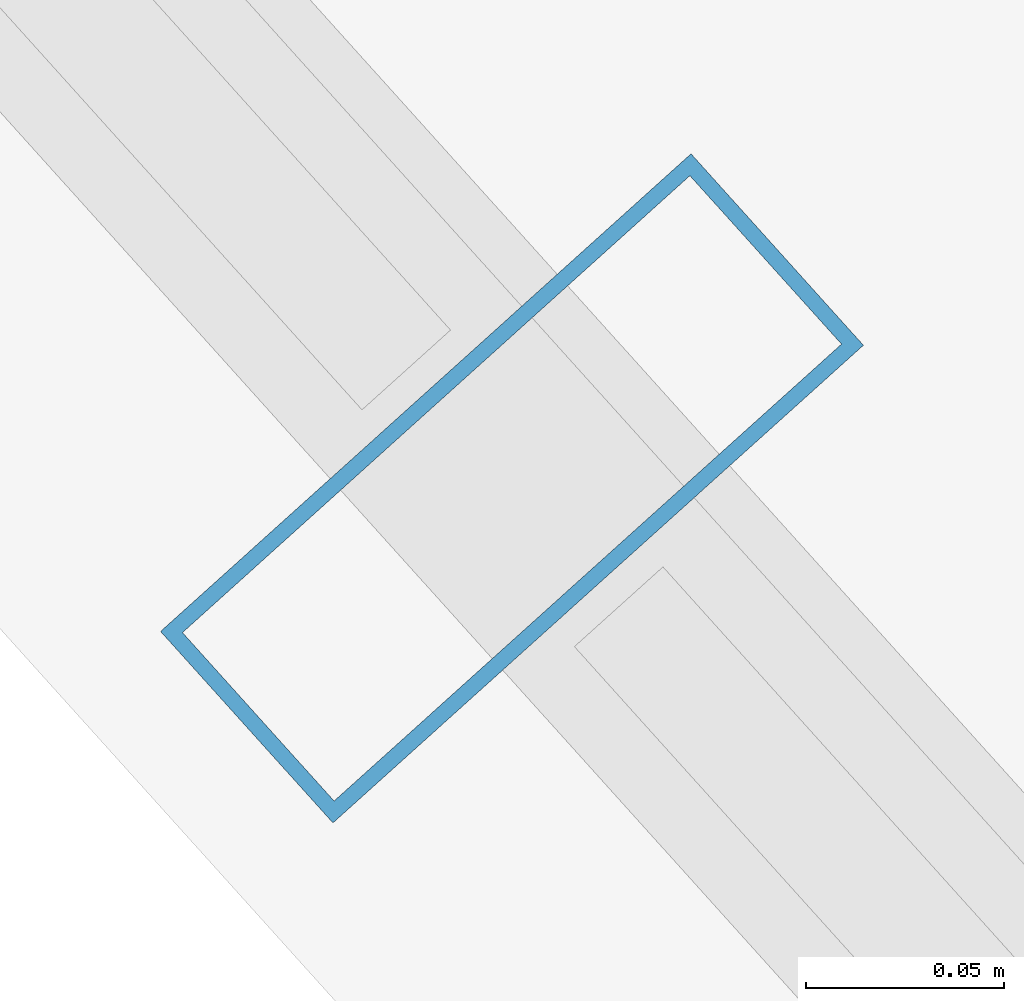
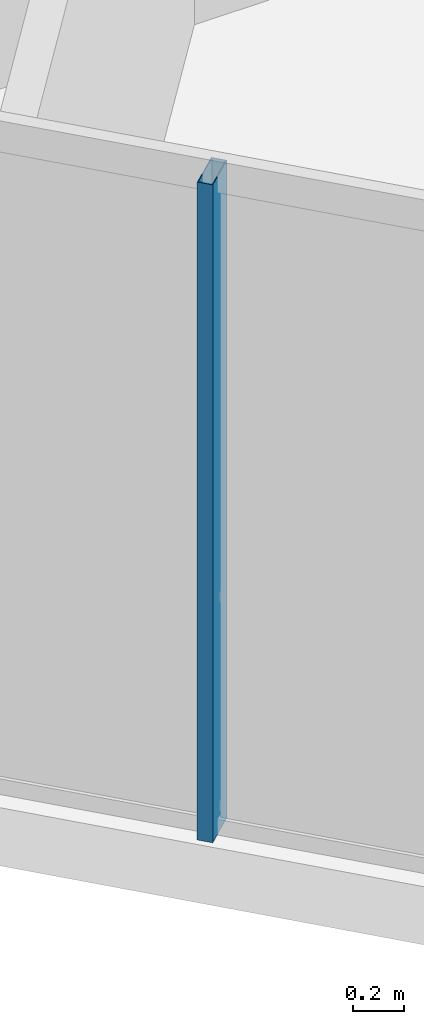
# One storey, part 2 of 27: 1 member, 1 element without a shape of its own.
"""IFC4 building model written with IfcOpenShell, lengths in metres."""

import ifcopenshell
import ifcopenshell.guid

model = None  # the IFC model being written
_history = None  # IfcOwnerHistory: only IFC2X3 demands one
_inside = {}  # id of a spatial element -> (the spatial element, [elements in it])
_under = {}  # id of a project, library or spatial element -> (it, [spatial elements below it])
_declared = {}  # id of a project -> (the project, [libraries it declares])
_typed = {}  # id of a type object -> (the type object, [elements of that type])
_made_of = {}  # id of a material, layer set ... -> (it, [elements and type objects made of it])


def new_model(schema):
    """Start an empty IFC model of exactly this schema.

    Asked for "IFC4X3", IfcOpenShell would pick the latest addendum, in which some entities
    have other attributes; the version numbers below select the first issue.
    IFC2X3 requires an IfcOwnerHistory on every rooted entity: one is made here for all.
    """
    global model, _history
    if schema == "IFC4X3":
        model = ifcopenshell.file(schema_version=(4, 3, 0, 0))
    else:
        model = ifcopenshell.file(schema=schema)
    _inside.clear()
    _under.clear()
    _declared.clear()
    _typed.clear()
    _made_of.clear()
    _history = None
    if model.schema == "IFC2X3":
        org = make("IfcOrganization", Name="unknown")
        user = make(
            "IfcPersonAndOrganization",
            ThePerson=make("IfcPerson", FamilyName="unknown"),
            TheOrganization=org,
        )
        app = make(
            "IfcApplication",
            ApplicationDeveloper=org,
            Version="unknown",
            ApplicationFullName="unknown",
            ApplicationIdentifier="unknown",
        )
        _history = make(
            "IfcOwnerHistory",
            OwningUser=user,
            OwningApplication=app,
            ChangeAction="ADDED",
            CreationDate=0,
        )
    return model


def make(cls, **values):
    """One entity of the class cls with the attributes given. An attribute that is None is left unset."""
    return model.create_entity(
        cls, **{name: value for name, value in values.items() if value is not None}
    )


def rooted(cls, **values):
    """An entity with a GlobalId (a new one), such as an element, a storey or a relation."""
    return make(cls, GlobalId=ifcopenshell.guid.new(), OwnerHistory=_history, **values)


def si_unit(unit_type, name, prefix=None):
    """IfcSIUnit, for example si_unit("LENGTHUNIT", "METRE", prefix="MILLI")."""
    return make("IfcSIUnit", UnitType=unit_type, Prefix=prefix, Name=name)


def assignment(units):
    """IfcUnitAssignment: the units of a project."""
    return None if units is None else make("IfcUnitAssignment", Units=units)


def point(xyz):
    """IfcCartesianPoint."""
    return None if xyz is None else make("IfcCartesianPoint", Coordinates=xyz)


def direction(xyz):
    """IfcDirection."""
    return None if xyz is None else make("IfcDirection", DirectionRatios=xyz)


def frame(location, z_axis=None, x_axis=None):
    """IfcAxis2Placement3D, a coordinate frame: its origin and axes. An axis left out is left unset."""
    return make(
        "IfcAxis2Placement3D",
        Location=point(location),
        Axis=direction(z_axis),
        RefDirection=direction(x_axis),
    )


def frame_2d(location, x_axis=None):
    """IfcAxis2Placement2D, a coordinate frame in the plane: its origin and x axis."""
    return make(
        "IfcAxis2Placement2D", Location=point(location), RefDirection=direction(x_axis)
    )


def origin():
    """The frame at (0, 0, 0) with its axes left unset."""
    return frame((0.0, 0.0, 0.0))


def origin_2d():
    """The frame at (0, 0) in the plane with its x axis left unset."""
    return frame_2d((0.0, 0.0))


def place(relative_to, where):
    """IfcLocalPlacement: puts the frame where relative to a parent placement (None: the world)."""
    return make(
        "IfcLocalPlacement", PlacementRelTo=relative_to, RelativePlacement=where
    )


def context(
    kind, dimensions, precision=None, world=None, true_north=None, identifier=None
):
    """IfcGeometricRepresentationContext, for example the 3D "Model" context."""
    return make(
        "IfcGeometricRepresentationContext",
        ContextIdentifier=identifier,
        ContextType=kind,
        CoordinateSpaceDimension=dimensions,
        Precision=precision,
        WorldCoordinateSystem=world,
        TrueNorth=true_north,
    )


def subcontext(parent, identifier, kind, view, scale=None):
    """IfcGeometricRepresentationSubContext, for example "Body" below "Model"."""
    return make(
        "IfcGeometricRepresentationSubContext",
        ContextIdentifier=identifier,
        ContextType=kind,
        ParentContext=parent,
        TargetScale=scale,
        TargetView=view,
    )


def project(units=None, contexts=None):
    """IfcProject with its units and contexts."""
    return rooted(
        "IfcProject",
        Name="project",
        RepresentationContexts=contexts,
        UnitsInContext=assignment(units),
    )


def spatial(cls, under=None, at=None, **own):
    """A site, building, storey or space (cls), placed at a placement, below another one or the project."""
    s = rooted(cls, ObjectPlacement=at, **own)
    if under is not None:
        _under.setdefault(under.id(), (under, []))[1].append(s)
    return s


def profile(cls, at=None, kind="AREA", **sizes):
    """A parametric profile (cls). Its sizes go by their IFC names, for example OverallWidth=200.0."""
    return make(cls, ProfileType=kind, Position=at, **sizes)


def hollow_rectangle(**sizes):
    """IfcRectangleHollowProfileDef."""
    return profile("IfcRectangleHollowProfileDef", **sizes)


def extrude(swept, where, along, depth):
    """IfcExtrudedAreaSolid: the profile swept, set in the frame where, extruded along a direction by depth."""
    return make(
        "IfcExtrudedAreaSolid",
        SweptArea=swept,
        Position=where,
        ExtrudedDirection=direction(along),
        Depth=depth,
    )


def shape(context_of_items, identifier, shape_type, items):
    """IfcShapeRepresentation: the items that make up one representation, for example the "Body"."""
    return make(
        "IfcShapeRepresentation",
        ContextOfItems=context_of_items,
        RepresentationIdentifier=identifier,
        RepresentationType=shape_type,
        Items=items,
    )


def material(Name=None, Category=None):
    """IfcMaterial."""
    return make("IfcMaterial", Name=Name, Category=Category)


def layer(
    of_material, thickness, ventilated=None, Name=None, Category=None, Priority=None
):
    """IfcMaterialLayer: one layer of a wall or slab, of a material (None: an air gap)."""
    return make(
        "IfcMaterialLayer",
        Material=of_material,
        LayerThickness=thickness,
        IsVentilated=ventilated,
        Name=Name,
        Category=Category,
        Priority=Priority,
    )


def layer_set(layers, Name=None):
    """IfcMaterialLayerSet."""
    return make("IfcMaterialLayerSet", MaterialLayers=layers, LayerSetName=Name)


def material_profile(
    of_material, cross_section, Name=None, Category=None, Priority=None
):
    """IfcMaterialProfile: a cross section and its material."""
    return make(
        "IfcMaterialProfile",
        Name=Name,
        Material=of_material,
        Profile=cross_section,
        Priority=Priority,
        Category=Category,
    )


def profile_set(profiles, Name=None, composite=None):
    """IfcMaterialProfileSet."""
    return make(
        "IfcMaterialProfileSet",
        Name=Name,
        MaterialProfiles=profiles,
        CompositeProfile=composite,
    )


def made_of(thing, what):
    """Note that an element or type object is made of a material, layer set ...; save() writes the relation."""
    if what is not None:
        _made_of.setdefault(what.id(), (what, []))[1].append(thing)
    return thing


def type_object(cls, material=None, **own):
    """A type object (cls), such as IfcWallType, which elements share."""
    return made_of(rooted(cls, **own), material)


def element(
    cls,
    number,
    at=None,
    inside=None,
    cuts=None,
    type_object=None,
    material=None,
    context=None,
    identifier="Body",
    shape_type=None,
    held_by="IfcProductDefinitionShape",
    body=None,
    shapes=None,
    **own,
):
    """One element of the class cls, such as IfcWall. Its Tag is "e" and its number.

    at: its placement. inside: the storey or other place that contains it. cuts: it is an
    opening in that element (IfcRelVoidsElement). A single representation is given by context,
    identifier, shape_type and body (its items); several are given by shapes. held_by: the class
    of the entity that holds the representations. save() writes the other relations.
    """
    e = rooted(cls, Tag="e%d" % number, ObjectPlacement=at, **own)
    if body is not None:
        shapes = [shape(context, identifier, shape_type, body)]
    if shapes is not None:
        e.Representation = make(held_by, Representations=shapes)
    if inside is not None:
        _inside.setdefault(inside.id(), (inside, []))[1].append(e)
    if cuts is not None:
        rooted(
            "IfcRelVoidsElement", RelatingBuildingElement=cuts, RelatedOpeningElement=e
        )
    if type_object is not None:
        _typed.setdefault(type_object.id(), (type_object, []))[1].append(e)
    return made_of(e, material)


def aggregate(whole, parts):
    """IfcRelAggregates: a whole, such as a stair, and the parts it consists of."""
    return rooted("IfcRelAggregates", RelatingObject=whole, RelatedObjects=parts)


def save(model, path):
    """Write the relations noted so far, then the file.

    IfcRelAggregates (storeys below a building ...), IfcRelContainedInSpatialStructure (elements
    in a storey), IfcRelDefinesByType, IfcRelAssociatesMaterial and IfcRelDeclares: one each for
    every whole, place, type object, material and project.
    """
    for whole, parts in _under.values():
        aggregate(whole, parts)
    for where, things in _inside.values():
        rooted(
            "IfcRelContainedInSpatialStructure",
            RelatedElements=things,
            RelatingStructure=where,
        )
    for kind, things in _typed.values():
        rooted("IfcRelDefinesByType", RelatedObjects=things, RelatingType=kind)
    for what, things in _made_of.values():
        rooted("IfcRelAssociatesMaterial", RelatedObjects=things, RelatingMaterial=what)
    for by, libraries in _declared.values():
        rooted("IfcRelDeclares", RelatingContext=by, RelatedDefinitions=libraries)
    model.write(path)


model = new_model("IFC4")

# Units and contexts
model_context = context("Model", 3, precision=1e-05, world=origin(), true_north=direction((0.0, 1.0)))
body_context = subcontext(model_context, "Body", "Model", "MODEL_VIEW")
ifc_project = project(units=[si_unit("LENGTHUNIT", "METRE"), si_unit("AREAUNIT", "SQUARE_METRE"), si_unit("VOLUMEUNIT", "CUBIC_METRE"), si_unit("PLANEANGLEUNIT", "RADIAN"), si_unit("MASSUNIT", "GRAM", prefix="KILO")], contexts=[model_context])

# Site, building, storey
site_placement = place(None, origin())
site = spatial("IfcSite", under=ifc_project, at=site_placement, CompositionType="ELEMENT")
building_placement = place(site_placement, origin())
building = spatial("IfcBuilding", under=site, at=building_placement, Name="Qarnah Convention Tower", CompositionType="ELEMENT")
storey_placement = place(building_placement, frame((0.0, 0.0, 110.85009765625)))
storey = spatial("IfcBuildingStorey", under=building, at=storey_placement, Name="L29", CompositionType="ELEMENT", Elevation=110.85009765625)

# Curtain wall, member
ifc_material_1 = material(Name="Tempered Low-E dark glass", Category="glass")
ifc_layer = layer(ifc_material_1, 0.169921875)
ifc_layer_set = layer_set([ifc_layer], Name="Tempered Low-E dark glass")
curtain_wall_type = type_object("IfcCurtainWallType", Name="CWS-02", PredefinedType="NOTDEFINED", material=ifc_layer_set)
curtain_wall_placement = place(storey_placement, origin())
curtain_wall = element("IfcCurtainWall", 1, at=curtain_wall_placement, inside=storey, type_object=curtain_wall_type, Name="L29 unitised curtain wall CW-L29-F3", PredefinedType="NOTDEFINED")
ifc_material_2 = material(Name="Black anodised aluminium", Category="aluminium")
ifc_material_profile = material_profile(ifc_material_2, hollow_rectangle(XDim=0.06494140625, YDim=0.179931640625, WallThickness=0.00390625, at=origin_2d()), Name="MUL-65X180")
ifc_profile_set = profile_set([ifc_material_profile], Name="Black anodised aluminium")
member_type = type_object("IfcMemberType", Name="MUL-T2", PredefinedType="MULLION", material=ifc_profile_set)
member_placement = place(storey_placement, frame((27.029541015625, 11.898193359375, 0.0), z_axis=(0.0, 0.0, 1.0), x_axis=(-0.669121773521, 0.743152778505, 0.0)))
member = element("IfcMember", 2, at=member_placement, type_object=member_type, Name="CW-L29-F3 mullion 3", PredefinedType="MULLION", context=body_context, shape_type="SweptSolid", body=[
    extrude(hollow_rectangle(XDim=0.06494140625, YDim=0.179931640625, WallThickness=0.00390625, at=origin_2d()), origin(), (0.0, 0.0, 1.0), 3.169921875),
])
aggregate(curtain_wall, [member])

save(model, "model.ifc")
